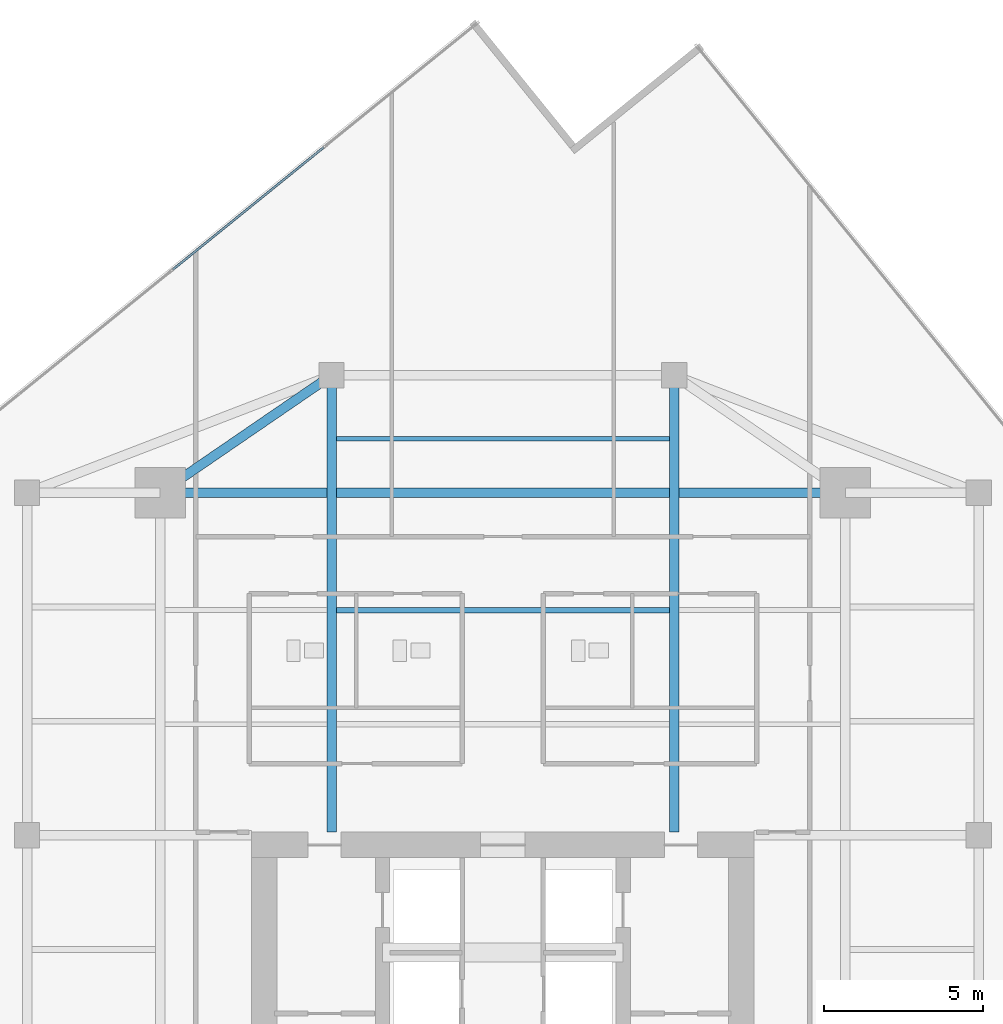
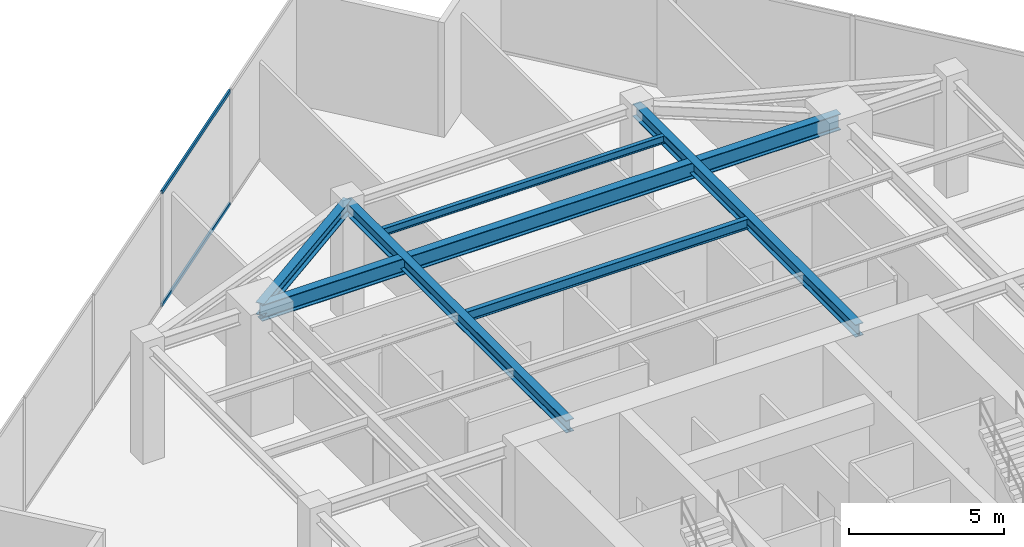
# One storey, part 13 of 22: 6 beams, 2 members, 1 element without a shape of its own.
"""IFC4 building model written with IfcOpenShell, lengths in metres."""

from ifc_helpers import new_model, si_unit, direction, frame, origin, origin_2d, place, context, subcontext, project, spatial, hollow_rectangle, i_section, extrude, source, transform, mapped, material, material_profile, profile_set, type_object, type_shapes, element, aggregate, save


model = new_model("IFC4")

# Units and contexts
model_context = context("Model", 3, precision=1e-05, world=origin(), true_north=direction((0.0, 1.0)))
body_context = subcontext(model_context, "Body", "Model", "MODEL_VIEW")
ifc_project = project(units=[si_unit("LENGTHUNIT", "METRE"), si_unit("AREAUNIT", "SQUARE_METRE"), si_unit("VOLUMEUNIT", "CUBIC_METRE"), si_unit("PLANEANGLEUNIT", "RADIAN"), si_unit("MASSUNIT", "GRAM", prefix="KILO")], contexts=[model_context])

# Site, building, storey
site_placement = place(None, origin())
site = spatial("IfcSite", under=ifc_project, at=site_placement, CompositionType="ELEMENT")
building_placement = place(site_placement, origin())
building = spatial("IfcBuilding", under=site, at=building_placement, Name="Krantzveldt Concourse Tower", CompositionType="ELEMENT")
storey_placement = place(building_placement, frame((0.0, 0.0, 262.60009765625)))
storey = spatial("IfcBuildingStorey", under=building, at=storey_placement, Name="L64", CompositionType="ELEMENT", Elevation=262.60009765625)

# Beams
ifc_material_1 = material(Name="Steel S355JR", Category="steel")
ifc_material_profile_1 = material_profile(ifc_material_1, i_section(OverallWidth=0.300048828125, OverallDepth=0.639892578125, WebThickness=0.013427734375, FlangeThickness=0.02587890625, FilletRadius=0.027099609375, at=origin_2d()), Name="Steel S355JR", Category="steel")
ifc_profile_set_1 = profile_set([ifc_material_profile_1], Name="Steel S355JR - HEA 650")
beam_type_1 = type_object("IfcBeamType", Name="BM-B-HEA650", PredefinedType="BEAM", material=ifc_profile_set_1)
shared_shape_1 = source(origin(), body_context, "Body", "SweptSolid", [
    extrude(i_section(OverallWidth=0.300048828125, OverallDepth=0.639892578125, WebThickness=0.013427734375, FlangeThickness=0.02587890625, FilletRadius=0.027099609375, at=origin_2d()), origin(), (0.0, 0.0, 1.0), 21.60009765625),
])
type_shapes(beam_type_1, [shared_shape_1])
beam_1_placement = place(storey_placement, frame((25.199951171875, 37.5, 4.199951171875), z_axis=(1.0, 0.0, 0.0), x_axis=(0.0, 1.0, 0.0)))
element("IfcBeam", 1, at=beam_1_placement, inside=storey, type_object=beam_type_1, Name="L64 Tower Girder BG-MN", PredefinedType="BEAM", context=body_context, shape_type="MappedRepresentation", body=[
    mapped(shared_shape_1, transform((0.0, 0.0, 0.0), x_axis=(1.0, 0.0, 0.0), y_axis=(0.0, 1.0, 0.0), z_axis=(0.0, 0.0, 1.0), scale=1.0)),
])
ifc_material_profile_2 = material_profile(ifc_material_1, i_section(OverallWidth=0.179931640625, OverallDepth=0.39990234375, WebThickness=0.008544921875, FlangeThickness=0.013427734375, FilletRadius=0.02099609375, at=origin_2d()), Name="Steel S355JR", Category="steel")
ifc_profile_set_2 = profile_set([ifc_material_profile_2], Name="Steel S355JR - IPE 400")
beam_type_2 = type_object("IfcBeamType", Name="BM-J-IPE400", PredefinedType="JOIST", material=ifc_profile_set_2)
shared_shape_2 = source(origin(), body_context, "Body", "SweptSolid", [
    extrude(i_section(OverallWidth=0.179931640625, OverallDepth=0.39990234375, WebThickness=0.008544921875, FlangeThickness=0.013427734375, FilletRadius=0.02099609375, at=origin_2d()), origin(), (0.0, 0.0, 1.0), 10.5),
])
type_shapes(beam_type_2, [shared_shape_2])
beam_2_placement = place(storey_placement, frame((30.75, 33.800048828125, 4.31982421875), z_axis=(1.0, 0.0, 0.0), x_axis=(0.0, 1.0, 0.0)))
element("IfcBeam", 2, at=beam_2_placement, inside=storey, type_object=beam_type_2, Name="L64 Secondary Floor Joist JN-C2", PredefinedType="JOIST", context=body_context, shape_type="MappedRepresentation", body=[
    mapped(shared_shape_2, transform((0.0, 0.0, 0.0), x_axis=(1.0, 0.0, 0.0), y_axis=(0.0, 1.0, 0.0), z_axis=(0.0, 0.0, 1.0), scale=1.0)),
])
ifc_material_profile_3 = material_profile(ifc_material_1, i_section(OverallWidth=0.300048828125, OverallDepth=0.489990234375, WebThickness=0.011962890625, FlangeThickness=0.02294921875, FilletRadius=0.027099609375, at=origin_2d()), Name="Steel S355JR", Category="steel")
ifc_profile_set_3 = profile_set([ifc_material_profile_3], Name="Steel S355JR - HEA 500")
beam_type_3 = type_object("IfcBeamType", Name="BM-B-HEA500", PredefinedType="BEAM", material=ifc_profile_set_3)
shared_shape_3 = source(origin(), body_context, "Body", "SweptSolid", [
    extrude(i_section(OverallWidth=0.300048828125, OverallDepth=0.489990234375, WebThickness=0.011962890625, FlangeThickness=0.02294921875, FilletRadius=0.027099609375, at=origin_2d()), origin(), (0.0, 0.0, 1.0), 14.39990234375),
])
for number, where, z_axis, x_axis, name in (
    (3, (30.60009765625, 26.800048828125, 4.27490234375), (0.0, 1.0, 0.0), (-1.0, 0.0, 0.0), "L64 Tower Girder BG-CNW"),
    (4, (41.39990234375, 26.800048828125, 4.27490234375), (0.0, 1.0, 0.0), (-1.0, 0.0, 0.0), "L64 Tower Girder BG-CNE"),
):
    element("IfcBeam", number, at=place(storey_placement, frame(where, z_axis=z_axis, x_axis=x_axis)), inside=storey, type_object=beam_type_3, Name=name, PredefinedType="BEAM", context=body_context, shape_type="MappedRepresentation", body=[
        mapped(shared_shape_3, transform((0.0, 0.0, 0.0), x_axis=(1.0, 0.0, 0.0), y_axis=(0.0, 1.0, 0.0), z_axis=(0.0, 0.0, 1.0), scale=1.0)),
    ])
shared_shape_4 = source(origin(), body_context, "Body", "SweptSolid", [
    extrude(i_section(OverallWidth=0.300048828125, OverallDepth=0.489990234375, WebThickness=0.011962890625, FlangeThickness=0.02294921875, FilletRadius=0.027099609375, at=origin_2d()), origin(), (0.0, 0.0, 1.0), 6.546142578125),
])
type_shapes(beam_type_3, [shared_shape_3, shared_shape_4])
beam_3_placement = place(storey_placement, frame((25.199951171875, 37.5, 4.27490234375), z_axis=(0.824942999484, 0.565215930068, 0.0), x_axis=(-0.565215930068, 0.824942999484, 0.0)))
element("IfcBeam", 5, at=beam_3_placement, inside=storey, type_object=beam_type_3, Name="L64 Tower Girder BR-RL4", PredefinedType="BEAM", context=body_context, shape_type="MappedRepresentation", body=[
    mapped(shared_shape_4, transform((0.0, 0.0, 0.0), x_axis=(1.0, 0.0, 0.0), y_axis=(0.0, 1.0, 0.0), z_axis=(0.0, 0.0, 1.0), scale=1.0)),
])
ifc_material_profile_4 = material_profile(ifc_material_1, i_section(OverallWidth=0.14990234375, OverallDepth=0.300048828125, WebThickness=0.007080078125, FlangeThickness=0.0107421875, FilletRadius=0.014892578125, at=origin_2d()), Name="Steel S355JR", Category="steel")
ifc_profile_set_4 = profile_set([ifc_material_profile_4], Name="Steel S355JR - IPE 300")
beam_type_4 = type_object("IfcBeamType", Name="BM-J-IPE300", PredefinedType="JOIST", material=ifc_profile_set_4)
shared_shape_5 = source(origin(), body_context, "Body", "SweptSolid", [
    extrude(i_section(OverallWidth=0.14990234375, OverallDepth=0.300048828125, WebThickness=0.007080078125, FlangeThickness=0.0107421875, FilletRadius=0.014892578125, at=origin_2d()), origin(), (0.0, 0.0, 1.0), 10.5),
])
type_shapes(beam_type_4, [shared_shape_5])
beam_4_placement = place(storey_placement, frame((30.75, 39.199951171875, 4.369873046875), z_axis=(1.0, 0.0, 0.0), x_axis=(0.0, 1.0, 0.0)))
element("IfcBeam", 6, at=beam_4_placement, inside=storey, type_object=beam_type_4, Name="L64 Secondary Floor Joist JN-C3", PredefinedType="JOIST", context=body_context, shape_type="MappedRepresentation", body=[
    mapped(shared_shape_5, transform((0.0, 0.0, 0.0), x_axis=(1.0, 0.0, 0.0), y_axis=(0.0, 1.0, 0.0), z_axis=(0.0, 0.0, 1.0), scale=1.0)),
])

# Curtain wall, members
ifc_material_2 = material(Name="Anodised aluminium 6063-T6", Category="aluminium")
curtain_wall_type = type_object("IfcCurtainWallType", Name="CW5", PredefinedType="USERDEFINED", material=ifc_material_2)
curtain_wall_placement = place(storey_placement, origin())
curtain_wall = element("IfcCurtainWall", 7, at=curtain_wall_placement, inside=storey, type_object=curtain_wall_type, Name="CW-L64-F01", ObjectType="UNITISED CURTAIN WALL", PredefinedType="USERDEFINED")
ifc_material_profile_5 = material_profile(ifc_material_2, hollow_rectangle(XDim=0.070068359375, YDim=0.139892578125, WallThickness=0.0048828125, at=origin_2d()), Name="Anodised aluminium 6063-T6", Category="aluminium")
ifc_profile_set_5 = profile_set([ifc_material_profile_5], Name="Anodised aluminium 6063-T6 - ALU-TRAN 140x70x5")
member_type = type_object("IfcMemberType", Name="CW-TRN-150", PredefinedType="USERDEFINED", material=ifc_profile_set_5)
shared_shape_6 = source(origin(), body_context, "Body", "SweptSolid", [
    extrude(hollow_rectangle(XDim=0.070068359375, YDim=0.139892578125, WallThickness=0.0048828125, at=origin_2d()), origin(), (0.0, 0.0, 1.0), 6.1298828125),
])
type_shapes(member_type, [shared_shape_6])
member_1_placement = place(storey_placement, frame((30.355712890625, 48.39208984375, 0.034912109375), z_axis=(-0.777136339755, -0.629332272677, 0.0), x_axis=(0.629332272677, -0.777136339755, 0.0)))
member_1 = element("IfcMember", 8, at=member_1_placement, type_object=member_type, Name="CW-SKY transom 2.1", ObjectType="TRANSOM", PredefinedType="USERDEFINED", context=body_context, shape_type="MappedRepresentation", body=[
    mapped(shared_shape_6, transform((0.0, 0.0, 0.0), x_axis=(1.0, 0.0, 0.0), y_axis=(0.0, 1.0, 0.0), z_axis=(0.0, 0.0, 1.0), scale=1.0)),
])
member_2_placement = place(storey_placement, frame((30.355712890625, 48.39208984375, 4.48486328125), z_axis=(-0.777136339755, -0.629332272677, 0.0), x_axis=(0.629332272677, -0.777136339755, 0.0)))
member_2 = element("IfcMember", 9, at=member_2_placement, type_object=member_type, Name="CW-SKY transom 2.2", ObjectType="TRANSOM", PredefinedType="USERDEFINED", context=body_context, shape_type="MappedRepresentation", body=[
    mapped(shared_shape_6, transform((0.0, 0.0, 0.0), x_axis=(1.0, 0.0, 0.0), y_axis=(0.0, 1.0, 0.0), z_axis=(0.0, 0.0, 1.0), scale=1.0)),
])
aggregate(curtain_wall, [member_1, member_2])

save(model, "model.ifc")
